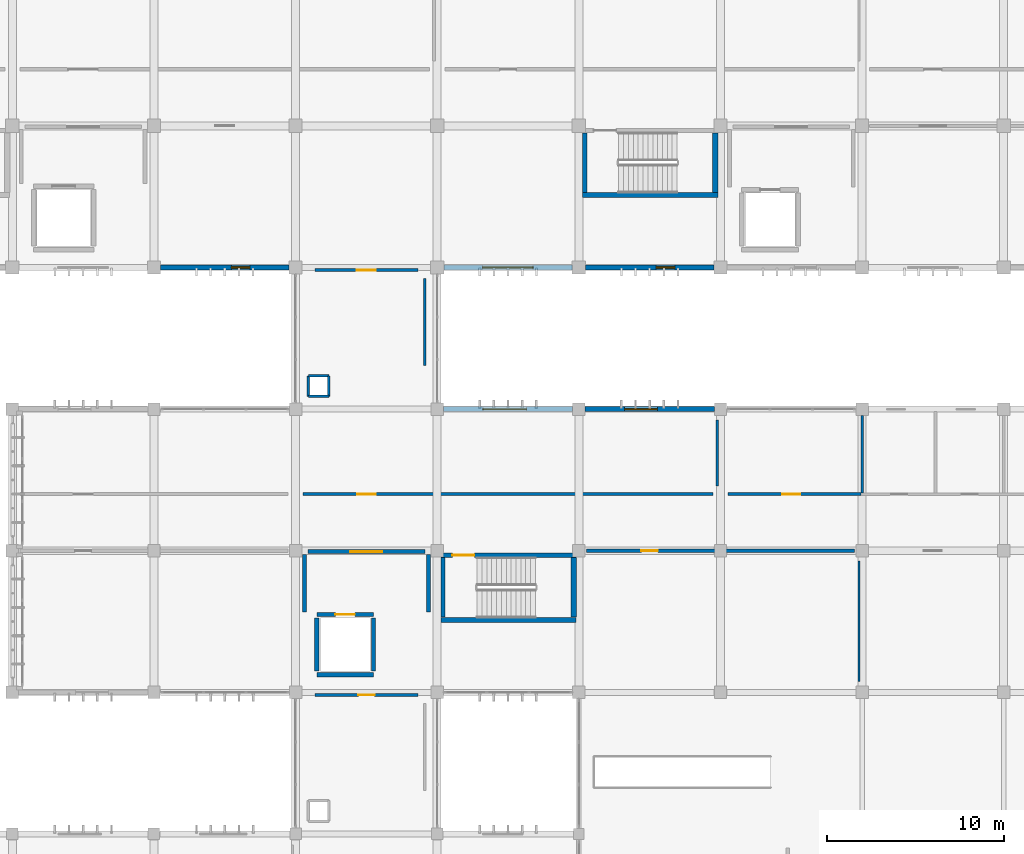
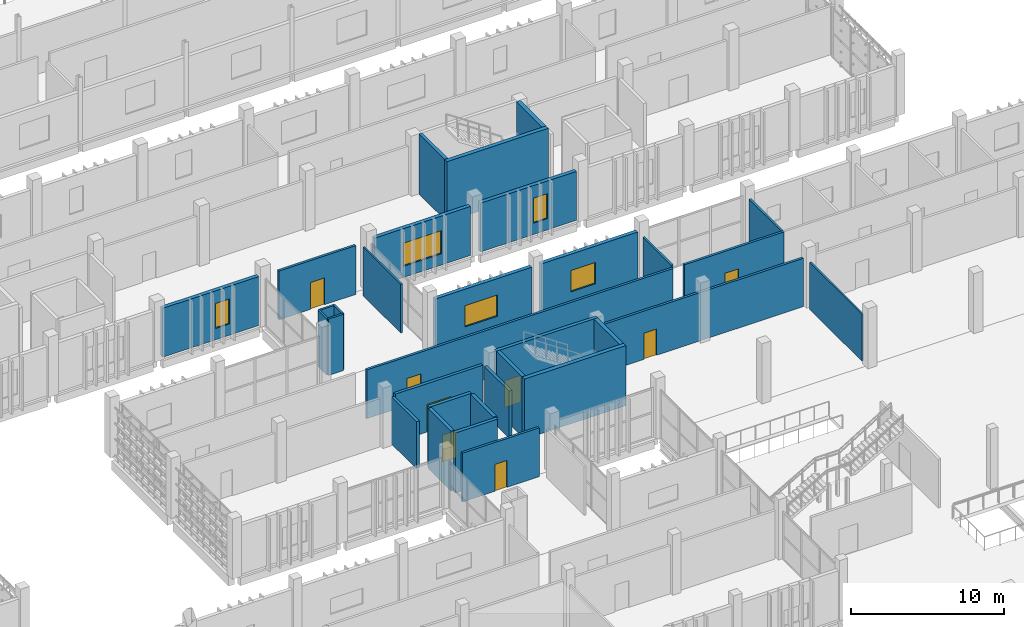
# One storey, part 88 of 106: 32 walls, 8 doors, 5 windows, 13 openings.
"""IFC4 building model written with IfcOpenShell, lengths in metres."""

from ifc_helpers import new_model, si_unit, direction, frame, frame_2d, origin, place, context, subcontext, project, spatial, rectangle, extrude, material, layer, layer_set, type_object, element, fill, save


model = new_model("IFC4")

# Units and contexts
model_context = context("Model", 3, precision=1e-05, world=origin(), true_north=direction((0.0, 1.0)))
body_context = subcontext(model_context, "Body", "Model", "MODEL_VIEW")
ifc_project = project(units=[si_unit("LENGTHUNIT", "METRE"), si_unit("AREAUNIT", "SQUARE_METRE"), si_unit("VOLUMEUNIT", "CUBIC_METRE"), si_unit("PLANEANGLEUNIT", "RADIAN"), si_unit("MASSUNIT", "GRAM", prefix="KILO")], contexts=[model_context])

# Site, building, storey
site_placement = place(None, origin())
site = spatial("IfcSite", under=ifc_project, at=site_placement, CompositionType="ELEMENT")
building_placement = place(site_placement, origin())
building = spatial("IfcBuilding", under=site, at=building_placement, Name="Jelvoka-Kovrelna Polytechnic", CompositionType="ELEMENT")
storey_placement = place(building_placement, frame((0.0, 0.0, 4.800048828125)))
storey = spatial("IfcBuildingStorey", under=building, at=storey_placement, Name="L02", CompositionType="ELEMENT", Elevation=4.800048828125)

# Wall, opening, door
ifc_material_1 = material(Name="Concrete C35/45", Category="concrete")
ifc_layer_1 = layer(ifc_material_1, 0.219970703125)
ifc_layer_set_1 = layer_set([ifc_layer_1], Name="Concrete C35/45")
wall_type_1 = type_object("IfcWallType", Name="Wall_Compartment_220", PredefinedType="PARTITIONING", material=ifc_layer_set_1)
wall_1_placement = place(storey_placement, frame((144.699951171875, 39.949951171875, 0.0), z_axis=(0.0, 0.0, 1.0), x_axis=(1.0, 0.0, 0.0)))
wall_1 = element("IfcWall", 1, at=wall_1_placement, inside=storey, type_object=wall_type_1, Name="L02 interior wall 0474", PredefinedType="PARTITIONING", context=body_context, shape_type="SweptSolid", body=[
    extrude(rectangle(XDim=6.60009765625, YDim=0.219970703125, at=frame_2d((3.300048828125, 0.0))), origin(), (0.0, 0.0, 1.0), 3.85986328125),
])
opening_1_placement = place(wall_1_placement, frame((2.39990234375, 0.0, 0.0)))
opening_1 = element("IfcOpeningElement", 2, at=opening_1_placement, cuts=wall_1, Name="Opening FD-L02-091", PredefinedType="OPENING", context=body_context, shape_type="SweptSolid", body=[
    extrude(rectangle(XDim=1.800048828125, YDim=2.199951171875, at=frame_2d((0.89990234375, 1.10009765625))), frame((0.0, 0.119873046875, 0.0), z_axis=(0.0, -1.0, 0.0), x_axis=(1.0, 0.0, 0.0)), (0.0, 0.0, 1.0), 0.239990234375),
])
ifc_material_2 = material(Name="Paired steel corridor fire door", Category="steel")
door_type_1 = type_object("IfcDoorType", Name="Door_Fire_FD03", OperationType="NOTDEFINED", PredefinedType="DOOR", material=ifc_material_2)
door_1_placement = place(opening_1_placement, origin())
door_1 = element("IfcDoor", 3, at=door_1_placement, inside=storey, type_object=door_type_1, Name="L02 interior door FD-L02-091", OperationType="DOUBLE_DOOR_SINGLE_SWING", OverallHeight=2.199951171875, OverallWidth=1.800048828125, PredefinedType="DOOR", context=body_context, shape_type="SweptSolid", body=[
    extrude(rectangle(XDim=1.800048828125, YDim=2.199951171875, at=frame_2d((0.89990234375, 1.10009765625))), frame((0.0, 0.02490234375, 0.0), z_axis=(0.0, -1.0, 0.0), x_axis=(1.0, 0.0, 0.0)), (0.0, 0.0, 1.0), 0.050048828125),
])
fill(opening_1, door_1)

# Walls
for number, where, z_axis, x_axis, name in (
    (4, (144.5, 36.550048828125, 0.0), (0.0, 0.0, 1.0), (0.0, 1.0, 0.0), "L02 interior wall 0475"),
    (5, (151.5, 36.550048828125, 0.0), (0.0, 0.0, 1.0), (0.0, 1.0, 0.0), "L02 interior wall 0476"),
):
    element("IfcWall", number, at=place(storey_placement, frame(where, z_axis=z_axis, x_axis=x_axis)), inside=storey, type_object=wall_type_1, Name=name, PredefinedType="PARTITIONING", context=body_context, shape_type="SweptSolid", body=[
        extrude(rectangle(XDim=3.25, YDim=0.219970703125, at=frame_2d((1.625, 0.0))), origin(), (0.0, 0.0, 1.0), 3.760009765625),
    ])

# Wall, opening, door
ifc_material_3 = material(Name="Concrete C40/50", Category="concrete")
ifc_layer_2 = layer(ifc_material_3, 0.25)
ifc_layer_set_2 = layer_set([ifc_layer_2], Name="Concrete C40/50")
wall_type_2 = type_object("IfcWallType", Name="Wall_Core_250", PredefinedType="SOLIDWALL", material=ifc_layer_set_2)
wall_2_placement = place(storey_placement, frame((152.199951171875, 39.739990234375, 0.0), z_axis=(0.0, 0.0, 1.0), x_axis=(1.0, 0.0, 0.0)))
wall_2 = element("IfcWall", 6, at=wall_2_placement, inside=storey, type_object=wall_type_2, Name="L02 interior wall 0123", PredefinedType="SOLIDWALL", context=body_context, shape_type="SweptSolid", body=[
    extrude(rectangle(XDim=7.650146484375, YDim=0.25, at=frame_2d((3.8251953125, 0.0))), origin(), (0.0, 0.0, 1.0), 4.800048828125),
])
opening_2_placement = place(wall_2_placement, frame((0.64990234375, 0.0, 0.0)))
opening_2 = element("IfcOpeningElement", 7, at=opening_2_placement, cuts=wall_2, Name="Opening SD-L02-031", PredefinedType="OPENING", context=body_context, shape_type="SweptSolid", body=[
    extrude(rectangle(XDim=1.25, YDim=2.14990234375, at=frame_2d((0.625, 1.074951171875))), frame((0.0, 0.135009765625, 0.0), z_axis=(0.0, -1.0, 0.0), x_axis=(1.0, 0.0, 0.0)), (0.0, 0.0, 1.0), 0.27001953125),
])
ifc_material_4 = material(Name="Powder-coated steel fire door", Category="steel")
door_type_2 = type_object("IfcDoorType", Name="Door_Fire_FD02", OperationType="NOTDEFINED", PredefinedType="DOOR", material=ifc_material_4)
door_2_placement = place(opening_2_placement, origin())
door_2 = element("IfcDoor", 8, at=door_2_placement, inside=storey, type_object=door_type_2, Name="L02 interior door SD-L02-031", OperationType="SINGLE_SWING_LEFT", OverallHeight=2.14990234375, OverallWidth=1.25, PredefinedType="DOOR", context=body_context, shape_type="SweptSolid", body=[
    extrude(rectangle(XDim=1.25, YDim=2.14990234375, at=frame_2d((0.625, 1.074951171875))), frame((0.0, 0.02490234375, 0.0), z_axis=(0.0, -1.0, 0.0), x_axis=(1.0, 0.0, 0.0)), (0.0, 0.0, 1.0), 0.050048828125),
])
fill(opening_2, door_2)

# Walls
for number, where, z_axis, x_axis, name in (
    (9, (152.324951171875, 36.25, 0.0), (0.0, 0.0, 1.0), (0.0, 1.0, 0.0), "L02 interior wall 0124"),
    (10, (160.324951171875, 60.25, 0.0), (0.0, 0.0, 1.0), (0.0, 1.0, 0.0), "L02 interior wall 0192"),
):
    element("IfcWall", number, at=place(storey_placement, frame(where, z_axis=z_axis, x_axis=x_axis)), inside=storey, type_object=wall_type_2, Name=name, PredefinedType="SOLIDWALL", context=body_context, shape_type="SweptSolid", body=[
        extrude(rectangle(XDim=3.360107421875, YDim=0.25, at=frame_2d((1.68017578125, 0.0))), origin(), (0.0, 0.0, 1.0), 4.800048828125),
    ])
wall_3_placement = place(storey_placement, frame((145.199951171875, 33.0, 0.0), z_axis=(0.0, 0.0, 1.0), x_axis=(1.0, 0.0, 0.0)))
element("IfcWall", 11, at=wall_3_placement, inside=storey, type_object=wall_type_2, Name="L02 interior wall 0470", PredefinedType="SOLIDWALL", context=body_context, shape_type="SweptSolid", body=[
    extrude(rectangle(XDim=3.199951171875, YDim=0.25, at=frame_2d((1.60009765625, 0.0))), origin(), (0.0, 0.0, 1.0), 4.800048828125),
])

# Wall, opening, door
wall_4_placement = place(storey_placement, frame((145.199951171875, 36.39990234375, 0.0), z_axis=(0.0, 0.0, 1.0), x_axis=(1.0, 0.0, 0.0)))
wall_4 = element("IfcWall", 12, at=wall_4_placement, inside=storey, type_object=wall_type_2, Name="L02 interior wall 0471", PredefinedType="SOLIDWALL", context=body_context, shape_type="SweptSolid", body=[
    extrude(rectangle(XDim=3.199951171875, YDim=0.25, at=frame_2d((1.60009765625, 0.0))), origin(), (0.0, 0.0, 1.0), 4.800048828125),
])
opening_3_placement = place(wall_4_placement, frame((1.050048828125, 0.0, 0.0)))
opening_3 = element("IfcOpeningElement", 13, at=opening_3_placement, cuts=wall_4, Name="Opening LD-L02-28", PredefinedType="OPENING", context=body_context, shape_type="SweptSolid", body=[
    extrude(rectangle(XDim=1.10009765625, YDim=2.14990234375, at=frame_2d((0.550048828125, 1.074951171875))), frame((0.0, 0.135009765625, 0.0), z_axis=(0.0, -1.0, 0.0), x_axis=(1.0, 0.0, 0.0)), (0.0, 0.0, 1.0), 0.27001953125),
])
ifc_material_5 = material(Name="Brushed stainless steel sliding landing door", Category="steel")
door_type_3 = type_object("IfcDoorType", Name="Door_Lift_LD01", OperationType="NOTDEFINED", PredefinedType="DOOR", material=ifc_material_5)
door_3_placement = place(opening_3_placement, origin())
door_3 = element("IfcDoor", 14, at=door_3_placement, inside=storey, type_object=door_type_3, Name="L02 lift landing sliding door LD-L02-28", OperationType="DOUBLE_DOOR_SLIDING", OverallHeight=2.14990234375, OverallWidth=1.10009765625, PredefinedType="DOOR", context=body_context, shape_type="SweptSolid", body=[
    extrude(rectangle(XDim=1.10009765625, YDim=2.14990234375, at=frame_2d((0.550048828125, 1.074951171875))), frame((0.0, 0.02490234375, 0.0), z_axis=(0.0, -1.0, 0.0), x_axis=(1.0, 0.0, 0.0)), (0.0, 0.0, 1.0), 0.050048828125),
])
fill(opening_3, door_3)

# Walls
for number, where, z_axis, x_axis, name in (
    (15, (145.199951171875, 33.199951171875, 0.0), (0.0, 0.0, 1.0), (0.0, 1.0, 0.0), "L02 interior wall 0472"),
    (16, (148.39990234375, 33.199951171875, 0.0), (0.0, 0.0, 1.0), (0.0, 1.0, 0.0), "L02 interior wall 0473"),
):
    element("IfcWall", number, at=place(storey_placement, frame(where, z_axis=z_axis, x_axis=x_axis)), inside=storey, type_object=wall_type_2, Name=name, PredefinedType="SOLIDWALL", context=body_context, shape_type="SweptSolid", body=[
        extrude(rectangle(XDim=3.0, YDim=0.25, at=frame_2d((1.5, 0.0))), origin(), (0.0, 0.0, 1.0), 4.800048828125),
    ])

# Wall, opening, door
ifc_material_6 = material(Name="Autoclaved aerated concrete blockwork", Category="masonry")
ifc_layer_3 = layer(ifc_material_6, 0.179931640625)
ifc_layer_set_3 = layer_set([ifc_layer_3], Name="Autoclaved aerated concrete blockwork")
wall_type_3 = type_object("IfcWallType", Name="Wall_Corridor_180", PredefinedType="PARTITIONING", material=ifc_layer_set_3)
wall_5_placement = place(storey_placement, frame((160.429931640625, 40.0, 0.0), z_axis=(0.0, 0.0, 1.0), x_axis=(1.0, 0.0, 0.0)))
wall_5 = element("IfcWall", 17, at=wall_5_placement, inside=storey, type_object=wall_type_3, Name="L02 interior wall 0967", PredefinedType="PARTITIONING", context=body_context, shape_type="SweptSolid", body=[
    extrude(rectangle(XDim=15.14013671875, YDim=0.179931640625, at=frame_2d((7.570068359375, 0.0))), origin(), (0.0, 0.0, 1.0), 3.85986328125),
])
opening_4_placement = place(wall_5_placement, frame((3.10009765625, 0.0, 0.0)))
opening_4 = element("IfcOpeningElement", 18, at=opening_4_placement, cuts=wall_5, Name="Opening D-L02-236", PredefinedType="OPENING", context=body_context, shape_type="SweptSolid", body=[
    extrude(rectangle(XDim=0.93994140625, YDim=2.10009765625, at=frame_2d((0.469970703125, 1.050048828125))), frame((0.0, 0.099853515625, 0.0), z_axis=(0.0, -1.0, 0.0), x_axis=(1.0, 0.0, 0.0)), (0.0, 0.0, 1.0), 0.199951171875),
])
ifc_material_7 = material(Name="Hardwood solid-core door", Category="wood")
door_type_4 = type_object("IfcDoorType", Name="Door_Int_D02", OperationType="NOTDEFINED", PredefinedType="DOOR", material=ifc_material_7)
door_4_placement = place(opening_4_placement, origin())
door_4 = element("IfcDoor", 19, at=door_4_placement, inside=storey, type_object=door_type_4, Name="L02 interior door D-L02-236", OperationType="SINGLE_SWING_LEFT", OverallHeight=2.10009765625, OverallWidth=0.93994140625, PredefinedType="DOOR", context=body_context, shape_type="SweptSolid", body=[
    extrude(rectangle(XDim=0.93994140625, YDim=2.10009765625, at=frame_2d((0.469970703125, 1.050048828125))), frame((0.0, 0.02490234375, 0.0), z_axis=(0.0, -1.0, 0.0), x_axis=(1.0, 0.0, 0.0)), (0.0, 0.0, 1.0), 0.050048828125),
])
fill(opening_4, door_4)

wall_6_placement = place(storey_placement, frame((144.429931640625, 43.199951171875, 0.0), z_axis=(0.0, 0.0, 1.0), x_axis=(1.0, 0.0, 0.0)))
wall_6 = element("IfcWall", 20, at=wall_6_placement, inside=storey, type_object=wall_type_3, Name="L02 interior wall 0971", PredefinedType="PARTITIONING", context=body_context, shape_type="SweptSolid", body=[
    extrude(rectangle(XDim=23.14013671875, YDim=0.179931640625, at=frame_2d((11.570068359375, 0.0))), origin(), (0.0, 0.0, 1.0), 3.89990234375),
])
opening_5_placement = place(wall_6_placement, frame((3.044921875, 0.0, 0.0)))
opening_5 = element("IfcOpeningElement", 21, at=opening_5_placement, cuts=wall_6, Name="Opening D-L02-239", PredefinedType="OPENING", context=body_context, shape_type="SweptSolid", body=[
    extrude(rectangle(XDim=1.050048828125, YDim=2.14990234375, at=frame_2d((0.52490234375, 1.074951171875))), frame((0.0, 0.099853515625, 0.0), z_axis=(0.0, -1.0, 0.0), x_axis=(1.0, 0.0, 0.0)), (0.0, 0.0, 1.0), 0.199951171875),
])
ifc_material_8 = material(Name="Hardwood fire-resisting laboratory door", Category="wood")
door_type_5 = type_object("IfcDoorType", Name="Door_Fire_FD30_02", OperationType="NOTDEFINED", PredefinedType="DOOR", material=ifc_material_8)
door_5_placement = place(opening_5_placement, origin())
door_5 = element("IfcDoor", 22, at=door_5_placement, inside=storey, type_object=door_type_5, Name="L02 interior door D-L02-239", OperationType="SINGLE_SWING_RIGHT", OverallHeight=2.14990234375, OverallWidth=1.050048828125, PredefinedType="DOOR", context=body_context, shape_type="SweptSolid", body=[
    extrude(rectangle(XDim=1.050048828125, YDim=2.14990234375, at=frame_2d((0.52490234375, 1.074951171875))), frame((0.0, 0.02490234375, 0.0), z_axis=(0.0, -1.0, 0.0), x_axis=(1.0, 0.0, 0.0)), (0.0, 0.0, 1.0), 0.050048828125),
])
fill(opening_5, door_5)

wall_7_placement = place(storey_placement, frame((168.429931640625, 43.199951171875, 0.0), z_axis=(0.0, 0.0, 1.0), x_axis=(1.0, 0.0, 0.0)))
wall_7 = element("IfcWall", 23, at=wall_7_placement, inside=storey, type_object=wall_type_3, Name="L02 interior wall 0973", PredefinedType="PARTITIONING", context=body_context, shape_type="SweptSolid", body=[
    extrude(rectangle(XDim=7.4951171875, YDim=0.179931640625, at=frame_2d((3.74755859375, 0.0))), origin(), (0.0, 0.0, 1.0), 3.89990234375),
])
opening_6_placement = place(wall_7_placement, frame((3.070068359375, 0.0, 0.0)))
opening_6 = element("IfcOpeningElement", 24, at=opening_6_placement, cuts=wall_7, Name="Opening D-L02-240", PredefinedType="OPENING", context=body_context, shape_type="SweptSolid", body=[
    extrude(rectangle(XDim=1.0, YDim=2.14990234375, at=frame_2d((0.5, 1.074951171875))), frame((0.0, 0.099853515625, 0.0), z_axis=(0.0, -1.0, 0.0), x_axis=(1.0, 0.0, 0.0)), (0.0, 0.0, 1.0), 0.199951171875),
])
ifc_material_9 = material(Name="Hardwood acoustic seminar door", Category="wood")
door_type_6 = type_object("IfcDoorType", Name="Door_Int_D08", OperationType="NOTDEFINED", PredefinedType="DOOR", material=ifc_material_9)
door_6_placement = place(opening_6_placement, origin())
door_6 = element("IfcDoor", 25, at=door_6_placement, inside=storey, type_object=door_type_6, Name="L02 interior door D-L02-240", OperationType="SINGLE_SWING_LEFT", OverallHeight=2.14990234375, OverallWidth=1.0, PredefinedType="DOOR", context=body_context, shape_type="SweptSolid", body=[
    extrude(rectangle(XDim=1.0, YDim=2.14990234375, at=frame_2d((0.5, 1.074951171875))), frame((0.0, 0.02490234375, 0.0), z_axis=(0.0, -1.0, 0.0), x_axis=(1.0, 0.0, 0.0)), (0.0, 0.0, 1.0), 0.050048828125),
])
fill(opening_6, door_6)

wall_8_placement = place(storey_placement, frame((145.10009765625, 31.85009765625, 0.0), z_axis=(0.0, 0.0, 1.0), x_axis=(1.0, 0.0, 0.0)))
wall_8 = element("IfcWall", 26, at=wall_8_placement, inside=storey, type_object=wall_type_3, Name="L02 interior wall 0994", PredefinedType="PARTITIONING", context=body_context, shape_type="SweptSolid", body=[
    extrude(rectangle(XDim=5.7998046875, YDim=0.179931640625, at=frame_2d((2.89990234375, 0.0))), origin(), (0.0, 0.0, 1.0), 3.89990234375),
])
opening_7_placement = place(wall_8_placement, frame((2.43994140625, 0.0, 0.0)))
opening_7 = element("IfcOpeningElement", 27, at=opening_7_placement, cuts=wall_8, Name="Opening D-L02-255", PredefinedType="OPENING", context=body_context, shape_type="SweptSolid", body=[
    extrude(rectangle(XDim=0.919921875, YDim=2.14990234375, at=frame_2d((0.4599609375, 1.074951171875))), frame((0.0, 0.099853515625, 0.0), z_axis=(0.0, -1.0, 0.0), x_axis=(1.0, 0.0, 0.0)), (0.0, 0.0, 1.0), 0.199951171875),
])
ifc_material_10 = material(Name="Hardwood solid-core door", Category="wood")
door_type_7 = type_object("IfcDoorType", Name="Door_Int_D06", OperationType="NOTDEFINED", PredefinedType="DOOR", material=ifc_material_10)
door_7_placement = place(opening_7_placement, origin())
door_7 = element("IfcDoor", 28, at=door_7_placement, inside=storey, type_object=door_type_7, Name="L02 interior door D-L02-255", OperationType="SINGLE_SWING_RIGHT", OverallHeight=2.14990234375, OverallWidth=0.919921875, PredefinedType="DOOR", context=body_context, shape_type="SweptSolid", body=[
    extrude(rectangle(XDim=0.919921875, YDim=2.14990234375, at=frame_2d((0.4599609375, 1.074951171875))), frame((0.0, 0.02490234375, 0.0), z_axis=(0.0, -1.0, 0.0), x_axis=(1.0, 0.0, 0.0)), (0.0, 0.0, 1.0), 0.050048828125),
])
fill(opening_7, door_7)

wall_9_placement = place(storey_placement, frame((145.10009765625, 55.85009765625, 0.0), z_axis=(0.0, 0.0, 1.0), x_axis=(1.0, 0.0, 0.0)))
wall_9 = element("IfcWall", 29, at=wall_9_placement, inside=storey, type_object=wall_type_3, Name="L02 interior wall 0998", PredefinedType="PARTITIONING", context=body_context, shape_type="SweptSolid", body=[
    extrude(rectangle(XDim=5.7998046875, YDim=0.179931640625, at=frame_2d((2.89990234375, 0.0))), origin(), (0.0, 0.0, 1.0), 3.89990234375),
])
opening_8_placement = place(wall_9_placement, frame((2.360107421875, 0.0, 0.0)))
opening_8 = element("IfcOpeningElement", 30, at=opening_8_placement, cuts=wall_9, Name="Opening D-L02-257", PredefinedType="OPENING", context=body_context, shape_type="SweptSolid", body=[
    extrude(rectangle(XDim=1.080078125, YDim=2.14990234375, at=frame_2d((0.5400390625, 1.074951171875))), frame((0.0, 0.099853515625, 0.0), z_axis=(0.0, -1.0, 0.0), x_axis=(1.0, 0.0, 0.0)), (0.0, 0.0, 1.0), 0.199951171875),
])
ifc_material_11 = material(Name="Hardwood acoustic seminar door", Category="wood")
door_type_8 = type_object("IfcDoorType", Name="Door_Int_D10", OperationType="NOTDEFINED", PredefinedType="DOOR", material=ifc_material_11)
door_8_placement = place(opening_8_placement, origin())
door_8 = element("IfcDoor", 31, at=door_8_placement, inside=storey, type_object=door_type_8, Name="L02 interior door D-L02-257", OperationType="SINGLE_SWING_RIGHT", OverallHeight=2.14990234375, OverallWidth=1.080078125, PredefinedType="DOOR", context=body_context, shape_type="SweptSolid", body=[
    extrude(rectangle(XDim=1.080078125, YDim=2.14990234375, at=frame_2d((0.5400390625, 1.074951171875))), frame((0.0, 0.02490234375, 0.0), z_axis=(0.0, -1.0, 0.0), x_axis=(1.0, 0.0, 0.0)), (0.0, 0.0, 1.0), 0.050048828125),
])
fill(opening_8, door_8)

# Wall, opening, window
ifc_material_12 = material(Name="Precast concrete C40/50", Category="concrete")
ifc_layer_4 = layer(ifc_material_12, 0.280029296875)
ifc_layer_set_4 = layer_set([ifc_layer_4], Name="Precast concrete C40/50")
wall_type_4 = type_object("IfcWallType", Name="Wall_Ext_White_280", PredefinedType="STANDARD", material=ifc_layer_set_4)
wall_10_placement = place(storey_placement, frame((152.346923828125, 48.0, 0.0), z_axis=(0.0, 0.0, 1.0), x_axis=(1.0, 0.0, 0.0)))
wall_10 = element("IfcWall", 32, at=wall_10_placement, inside=storey, type_object=wall_type_4, Name="L02 exterior wall 0463", PredefinedType="STANDARD", context=body_context, shape_type="SweptSolid", body=[
    extrude(rectangle(XDim=7.30615234375, YDim=0.280029296875, at=frame_2d((3.653076171875, 0.0))), origin(), (0.0, 0.0, 1.0), 3.909912109375),
])
opening_9_placement = place(wall_10_placement, frame((2.23291015625, 0.0, 0.89990234375)))
opening_9 = element("IfcOpeningElement", 33, at=opening_9_placement, cuts=wall_10, Name="Opening W-L02-180", PredefinedType="OPENING", context=body_context, shape_type="SweptSolid", body=[
    extrude(rectangle(XDim=2.449951171875, YDim=1.699951171875, at=frame_2d((1.22509765625, 0.85009765625))), frame((0.0, 0.150146484375, 0.0), z_axis=(0.0, -1.0, 0.0), x_axis=(1.0, 0.0, 0.0)), (0.0, 0.0, 1.0), 0.300048828125),
])
ifc_material_13 = material(Name="Thermally broken anodised aluminium and low-e glazing", Category="aluminium")
window_type_1 = type_object("IfcWindowType", Name="Win_Casement_W38", PartitioningType="DOUBLE_PANEL_VERTICAL", PredefinedType="WINDOW", material=ifc_material_13)
window_1_placement = place(opening_9_placement, origin())
window_1 = element("IfcWindow", 34, at=window_1_placement, inside=storey, type_object=window_type_1, Name="L02 aluminium casement window W-L02-180", OverallHeight=1.699951171875, OverallWidth=2.449951171875, PartitioningType="DOUBLE_PANEL_VERTICAL", PredefinedType="WINDOW", context=body_context, shape_type="SweptSolid", body=[
    extrude(rectangle(XDim=2.449951171875, YDim=1.699951171875, at=frame_2d((1.22509765625, 0.85009765625))), frame((0.0, 0.030029296875, 0.0), z_axis=(0.0, -1.0, 0.0), x_axis=(1.0, 0.0, 0.0)), (0.0, 0.0, 1.0), 0.06005859375),
])
fill(opening_9, window_1)

wall_11_placement = place(storey_placement, frame((160.346923828125, 48.0, 0.0), z_axis=(0.0, 0.0, 1.0), x_axis=(1.0, 0.0, 0.0)))
wall_11 = element("IfcWall", 35, at=wall_11_placement, inside=storey, type_object=wall_type_4, Name="L02 exterior wall 0464", PredefinedType="STANDARD", context=body_context, shape_type="SweptSolid", body=[
    extrude(rectangle(XDim=7.30615234375, YDim=0.280029296875, at=frame_2d((3.653076171875, 0.0))), origin(), (0.0, 0.0, 1.0), 3.909912109375),
])
opening_10_placement = place(wall_11_placement, frame((2.23291015625, 0.0, 0.89990234375)))
opening_10 = element("IfcOpeningElement", 36, at=opening_10_placement, cuts=wall_11, Name="Opening W-L02-181", PredefinedType="OPENING", context=body_context, shape_type="SweptSolid", body=[
    extrude(rectangle(XDim=1.85009765625, YDim=1.699951171875, at=frame_2d((0.925048828125, 0.85009765625))), frame((0.0, 0.150146484375, 0.0), z_axis=(0.0, -1.0, 0.0), x_axis=(1.0, 0.0, 0.0)), (0.0, 0.0, 1.0), 0.300048828125),
])
ifc_material_14 = material(Name="Thermally broken anodised aluminium and low-e glazing", Category="aluminium")
window_type_2 = type_object("IfcWindowType", Name="Win_Casement_W35", PartitioningType="DOUBLE_PANEL_VERTICAL", PredefinedType="WINDOW", material=ifc_material_14)
window_2_placement = place(opening_10_placement, origin())
window_2 = element("IfcWindow", 37, at=window_2_placement, inside=storey, type_object=window_type_2, Name="L02 aluminium casement window W-L02-181", OverallHeight=1.699951171875, OverallWidth=1.85009765625, PartitioningType="DOUBLE_PANEL_VERTICAL", PredefinedType="WINDOW", context=body_context, shape_type="SweptSolid", body=[
    extrude(rectangle(XDim=1.85009765625, YDim=1.699951171875, at=frame_2d((0.925048828125, 0.85009765625))), frame((0.0, 0.030029296875, 0.0), z_axis=(0.0, -1.0, 0.0), x_axis=(1.0, 0.0, 0.0)), (0.0, 0.0, 1.0), 0.06005859375),
])
fill(opening_10, window_2)

wall_12_placement = place(storey_placement, frame((143.6279296875, 56.0, 0.0), z_axis=(0.0, 0.0, 1.0), x_axis=(-1.0, 0.0, 0.0)))
wall_12 = element("IfcWall", 38, at=wall_12_placement, inside=storey, type_object=wall_type_4, Name="L02 exterior wall 0622", PredefinedType="STANDARD", context=body_context, shape_type="SweptSolid", body=[
    extrude(rectangle(XDim=7.255859375, YDim=0.280029296875, at=frame_2d((3.6279296875, 0.0))), origin(), (0.0, 0.0, 1.0), 3.909912109375),
])
opening_11_placement = place(wall_12_placement, frame((2.2080078125, 0.0, 0.89990234375)))
opening_11 = element("IfcOpeningElement", 39, at=opening_11_placement, cuts=wall_12, Name="Opening W-L02-296", PredefinedType="OPENING", context=body_context, shape_type="SweptSolid", body=[
    extrude(rectangle(XDim=1.050048828125, YDim=2.0, at=frame_2d((0.52490234375, 1.0))), frame((0.0, 0.150146484375, 0.0), z_axis=(0.0, -1.0, 0.0), x_axis=(1.0, 0.0, 0.0)), (0.0, 0.0, 1.0), 0.300048828125),
])
ifc_material_15 = material(Name="Thermally broken anodised aluminium and low-e glazing", Category="aluminium")
window_type_3 = type_object("IfcWindowType", Name="Win_Casement_W51", PartitioningType="SINGLE_PANEL", PredefinedType="WINDOW", material=ifc_material_15)
window_3_placement = place(opening_11_placement, origin())
window_3 = element("IfcWindow", 40, at=window_3_placement, inside=storey, type_object=window_type_3, Name="L02 aluminium casement window W-L02-296", OverallHeight=2.0, OverallWidth=1.050048828125, PartitioningType="SINGLE_PANEL", PredefinedType="WINDOW", context=body_context, shape_type="SweptSolid", body=[
    extrude(rectangle(XDim=1.050048828125, YDim=2.0, at=frame_2d((0.52490234375, 1.0))), frame((0.0, 0.030029296875, 0.0), z_axis=(0.0, -1.0, 0.0), x_axis=(1.0, 0.0, 0.0)), (0.0, 0.0, 1.0), 0.06005859375),
])
fill(opening_11, window_3)

wall_13_placement = place(storey_placement, frame((159.6279296875, 56.0, 0.0), z_axis=(0.0, 0.0, 1.0), x_axis=(-1.0, 0.0, 0.0)))
wall_13 = element("IfcWall", 41, at=wall_13_placement, inside=storey, type_object=wall_type_4, Name="L02 exterior wall 0625", PredefinedType="STANDARD", context=body_context, shape_type="SweptSolid", body=[
    extrude(rectangle(XDim=7.255859375, YDim=0.280029296875, at=frame_2d((3.6279296875, 0.0))), origin(), (0.0, 0.0, 1.0), 3.909912109375),
])
opening_12_placement = place(wall_13_placement, frame((2.2080078125, 0.0, 0.89990234375)))
opening_12 = element("IfcOpeningElement", 42, at=opening_12_placement, cuts=wall_13, Name="Opening W-L02-299", PredefinedType="OPENING", context=body_context, shape_type="SweptSolid", body=[
    extrude(rectangle(XDim=2.85009765625, YDim=1.85009765625, at=frame_2d((1.425048828125, 0.925048828125))), frame((0.0, 0.150146484375, 0.0), z_axis=(0.0, -1.0, 0.0), x_axis=(1.0, 0.0, 0.0)), (0.0, 0.0, 1.0), 0.300048828125),
])
ifc_material_16 = material(Name="Thermally broken anodised aluminium and low-e glazing", Category="aluminium")
window_type_4 = type_object("IfcWindowType", Name="Win_Casement_W50", PartitioningType="DOUBLE_PANEL_VERTICAL", PredefinedType="WINDOW", material=ifc_material_16)
window_4_placement = place(opening_12_placement, origin())
window_4 = element("IfcWindow", 43, at=window_4_placement, inside=storey, type_object=window_type_4, Name="L02 aluminium casement window W-L02-299", OverallHeight=1.85009765625, OverallWidth=2.85009765625, PartitioningType="DOUBLE_PANEL_VERTICAL", PredefinedType="WINDOW", context=body_context, shape_type="SweptSolid", body=[
    extrude(rectangle(XDim=2.85009765625, YDim=1.85009765625, at=frame_2d((1.425048828125, 0.925048828125))), frame((0.0, 0.030029296875, 0.0), z_axis=(0.0, -1.0, 0.0), x_axis=(1.0, 0.0, 0.0)), (0.0, 0.0, 1.0), 0.06005859375),
])
fill(opening_12, window_4)

wall_14_placement = place(storey_placement, frame((167.6279296875, 56.0, 0.0), z_axis=(0.0, 0.0, 1.0), x_axis=(-1.0, 0.0, 0.0)))
wall_14 = element("IfcWall", 44, at=wall_14_placement, inside=storey, type_object=wall_type_4, Name="L02 exterior wall 0627", PredefinedType="STANDARD", context=body_context, shape_type="SweptSolid", body=[
    extrude(rectangle(XDim=7.255859375, YDim=0.280029296875, at=frame_2d((3.6279296875, 0.0))), origin(), (0.0, 0.0, 1.0), 3.909912109375),
])
opening_13_placement = place(wall_14_placement, frame((2.2080078125, 0.0, 0.89990234375)))
opening_13 = element("IfcOpeningElement", 45, at=opening_13_placement, cuts=wall_14, Name="Opening W-L02-301", PredefinedType="OPENING", context=body_context, shape_type="SweptSolid", body=[
    extrude(rectangle(XDim=1.050048828125, YDim=2.0, at=frame_2d((0.52490234375, 1.0))), frame((0.0, 0.150146484375, 0.0), z_axis=(0.0, -1.0, 0.0), x_axis=(1.0, 0.0, 0.0)), (0.0, 0.0, 1.0), 0.300048828125),
])
window_5_placement = place(opening_13_placement, origin())
window_5 = element("IfcWindow", 46, at=window_5_placement, inside=storey, type_object=window_type_3, Name="L02 aluminium casement window W-L02-301", OverallHeight=2.0, OverallWidth=1.050048828125, PartitioningType="SINGLE_PANEL", PredefinedType="WINDOW", context=body_context, shape_type="SweptSolid", body=[
    extrude(rectangle(XDim=1.050048828125, YDim=2.0, at=frame_2d((0.52490234375, 1.0))), frame((0.0, 0.030029296875, 0.0), z_axis=(0.0, -1.0, 0.0), x_axis=(1.0, 0.0, 0.0)), (0.0, 0.0, 1.0), 0.06005859375),
])
fill(opening_13, window_5)

# Walls
ifc_material_17 = material(Name="Acoustic gypsum stud partition")
ifc_layer_5 = layer(ifc_material_17, 0.125)
ifc_layer_set_5 = layer_set([ifc_layer_5], Name="Acoustic gypsum stud partition")
wall_type_5 = type_object("IfcWallType", Name="Wall_Partition_125", PredefinedType="PARTITIONING", material=ifc_layer_set_5)
wall_15_placement = place(storey_placement, frame((175.820068359375, 32.6201171875, 0.0), z_axis=(0.0, 0.0, 1.0), x_axis=(0.0, 1.0, 0.0)))
element("IfcWall", 47, at=wall_15_placement, inside=storey, type_object=wall_type_5, Name="L02 interior wall 0968", PredefinedType="PARTITIONING", context=body_context, shape_type="SweptSolid", body=[
    extrude(rectangle(XDim=6.809814453125, YDim=0.125, at=frame_2d((3.40478515625, 0.0))), origin(), (0.0, 0.0, 1.0), 3.760009765625),
])
wall_16_placement = place(storey_placement, frame((151.300048828125, 50.469970703125, 0.0), z_axis=(0.0, 0.0, 1.0), x_axis=(0.0, 1.0, 0.0)))
element("IfcWall", 48, at=wall_16_placement, inside=storey, type_object=wall_type_5, Name="L02 interior wall 0999", PredefinedType="PARTITIONING", context=body_context, shape_type="SweptSolid", body=[
    extrude(rectangle(XDim=4.909912109375, YDim=0.125, at=frame_2d((2.455078125, 0.0))), origin(), (0.0, 0.0, 1.0), 3.89990234375),
])
ifc_material_18 = material(Name="Autoclaved aerated concrete blockwork", Category="masonry")
ifc_layer_6 = layer(ifc_material_18, 0.14990234375)
ifc_layer_set_6 = layer_set([ifc_layer_6], Name="Autoclaved aerated concrete blockwork")
wall_type_6 = type_object("IfcWallType", Name="Wall_Partition_150", PredefinedType="PARTITIONING", material=ifc_layer_set_6)
for number, where, z_axis, x_axis, name in (
    (49, (144.719970703125, 48.719970703125, 0.0), (0.0, 0.0, 1.0), (1.0, 0.0, 0.0), "L02 interior wall 0710"),
    (50, (145.8798828125, 48.719970703125, 0.0), (0.0, 0.0, 1.0), (0.0, 1.0, 0.0), "L02 interior wall 0711"),
    (51, (145.8798828125, 49.8798828125, 0.0), (0.0, 0.0, 1.0), (-1.0, 0.0, 0.0), "L02 interior wall 0712"),
    (52, (144.719970703125, 49.8798828125, 0.0), (0.0, 0.0, 1.0), (0.0, -1.0, 0.0), "L02 interior wall 0713"),
):
    element("IfcWall", number, at=place(storey_placement, frame(where, z_axis=z_axis, x_axis=x_axis)), inside=storey, type_object=wall_type_6, Name=name, PredefinedType="PARTITIONING", context=body_context, shape_type="SweptSolid", body=[
        extrude(rectangle(XDim=1.159912109375, YDim=0.14990234375, at=frame_2d((0.580078125, 0.0))), origin(), (0.0, 0.0, 1.0), 4.5),
    ])
wall_17_placement = place(storey_placement, frame((176.0, 43.27490234375, 0.0), z_axis=(0.0, 0.0, 1.0), x_axis=(0.0, 1.0, 0.0)))
element("IfcWall", 53, at=wall_17_placement, inside=storey, type_object=wall_type_6, Name="L02 interior wall 0941", PredefinedType="PARTITIONING", context=body_context, shape_type="SweptSolid", body=[
    extrude(rectangle(XDim=4.375, YDim=0.14990234375, at=frame_2d((2.1875, 0.0))), origin(), (0.0, 0.0, 1.0), 3.760009765625),
])
wall_18_placement = place(storey_placement, frame((167.820068359375, 43.669921875, 0.0), z_axis=(0.0, 0.0, 1.0), x_axis=(0.0, 1.0, 0.0)))
element("IfcWall", 54, at=wall_18_placement, inside=storey, type_object=wall_type_6, Name="L02 interior wall 0972", PredefinedType="PARTITIONING", context=body_context, shape_type="SweptSolid", body=[
    extrude(rectangle(XDim=3.7099609375, YDim=0.14990234375, at=frame_2d((1.85498046875, 0.0))), origin(), (0.0, 0.0, 1.0), 3.760009765625),
])
ifc_material_19 = material(Name="Concrete C40/50", Category="concrete")
ifc_layer_7 = layer(ifc_material_19, 0.300048828125)
ifc_layer_set_7 = layer_set([ifc_layer_7], Name="Concrete C40/50")
wall_type_7 = type_object("IfcWallType", Name="Wall_Shear_300", PredefinedType="SHEAR", material=ifc_layer_set_7)
wall_19_placement = place(storey_placement, frame((152.199951171875, 36.090087890625, 0.0), z_axis=(0.0, 0.0, 1.0), x_axis=(1.0, 0.0, 0.0)))
element("IfcWall", 55, at=wall_19_placement, inside=storey, type_object=wall_type_7, Name="L02 interior wall 0121", PredefinedType="SHEAR", context=body_context, shape_type="SweptSolid", body=[
    extrude(rectangle(XDim=7.650146484375, YDim=0.300048828125, at=frame_2d((3.8251953125, 0.0))), origin(), (0.0, 0.0, 1.0), 4.800048828125),
])
wall_20_placement = place(storey_placement, frame((159.7099609375, 36.25, 0.0), z_axis=(0.0, 0.0, 1.0), x_axis=(0.0, 1.0, 0.0)))
element("IfcWall", 56, at=wall_20_placement, inside=storey, type_object=wall_type_7, Name="L02 interior wall 0122", PredefinedType="SHEAR", context=body_context, shape_type="SweptSolid", body=[
    extrude(rectangle(XDim=3.360107421875, YDim=0.300048828125, at=frame_2d((1.68017578125, 0.0))), origin(), (0.0, 0.0, 1.0), 4.800048828125),
])
wall_21_placement = place(storey_placement, frame((160.199951171875, 60.090087890625, 0.0), z_axis=(0.0, 0.0, 1.0), x_axis=(1.0, 0.0, 0.0)))
element("IfcWall", 57, at=wall_21_placement, inside=storey, type_object=wall_type_7, Name="L02 interior wall 0189", PredefinedType="SHEAR", context=body_context, shape_type="SweptSolid", body=[
    extrude(rectangle(XDim=7.650146484375, YDim=0.300048828125, at=frame_2d((3.8251953125, 0.0))), origin(), (0.0, 0.0, 1.0), 4.800048828125),
])
wall_22_placement = place(storey_placement, frame((167.7099609375, 60.25, 0.0), z_axis=(0.0, 0.0, 1.0), x_axis=(0.0, 1.0, 0.0)))
element("IfcWall", 58, at=wall_22_placement, inside=storey, type_object=wall_type_7, Name="L02 interior wall 0190", PredefinedType="SHEAR", context=body_context, shape_type="SweptSolid", body=[
    extrude(rectangle(XDim=3.360107421875, YDim=0.300048828125, at=frame_2d((1.68017578125, 0.0))), origin(), (0.0, 0.0, 1.0), 4.800048828125),
])

save(model, "model.ifc")
